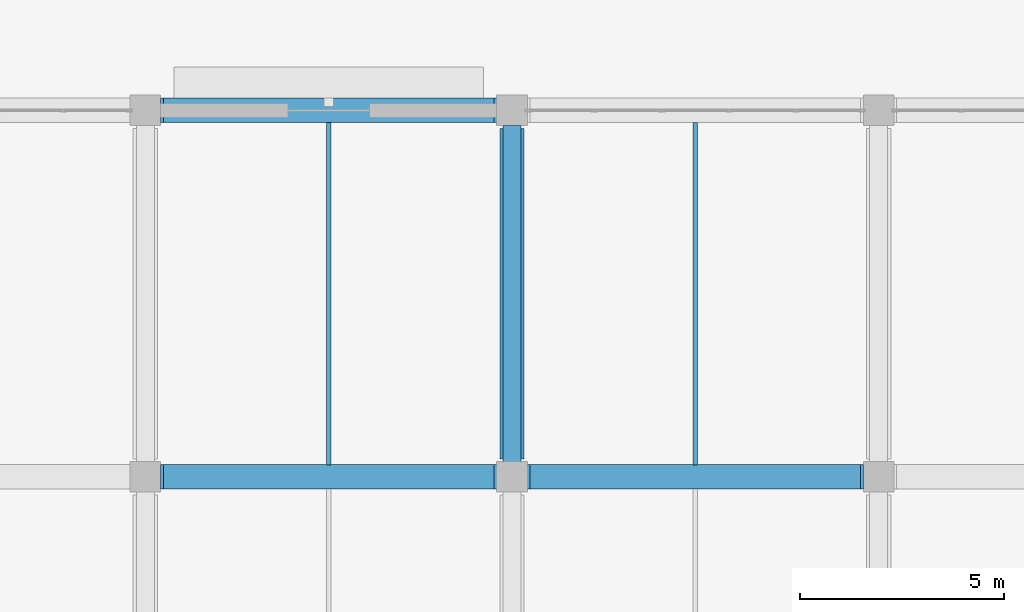
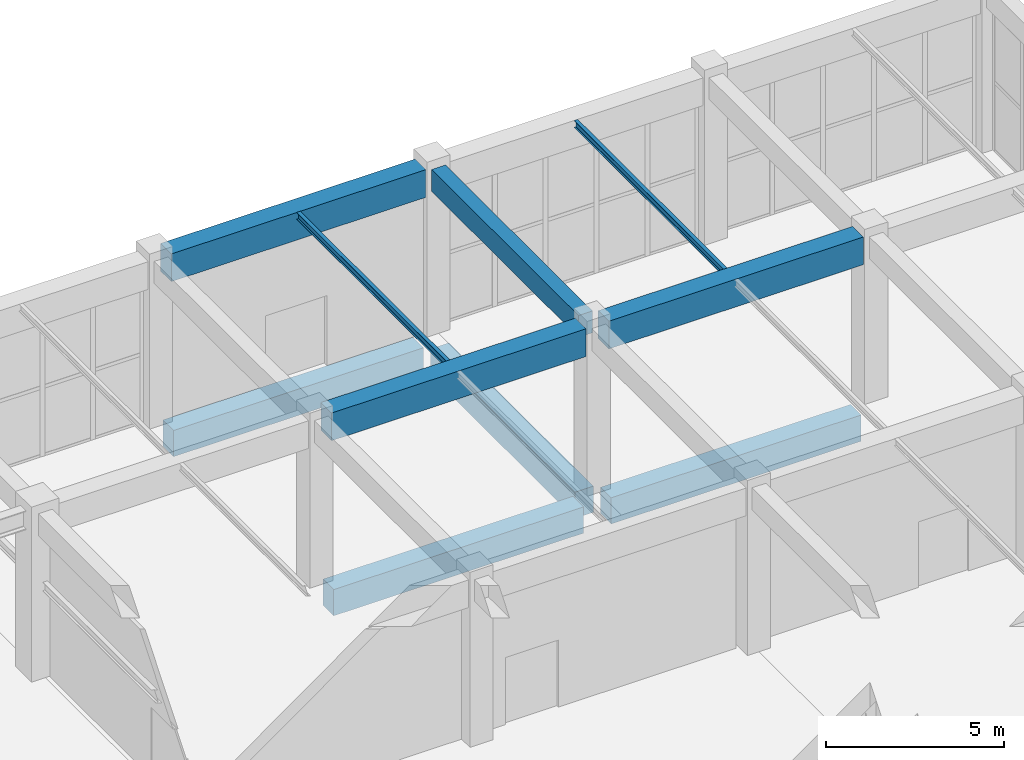
# One storey, part 17 of 91: 10 beams.
"""IFC4 building model written with IfcOpenShell, lengths in metres."""

from ifc_helpers import new_model, si_unit, direction, frame, origin, origin_2d, place, context, subcontext, project, spatial, rectangle, i_section, extrude, material, material_profile, profile_set, type_object, element, save


model = new_model("IFC4")

# Units and contexts
model_context = context("Model", 3, precision=1e-05, world=origin(), true_north=direction((0.0, 1.0)))
body_context = subcontext(model_context, "Body", "Model", "MODEL_VIEW")
ifc_project = project(units=[si_unit("LENGTHUNIT", "METRE"), si_unit("AREAUNIT", "SQUARE_METRE"), si_unit("VOLUMEUNIT", "CUBIC_METRE"), si_unit("PLANEANGLEUNIT", "RADIAN"), si_unit("MASSUNIT", "GRAM", prefix="KILO")], contexts=[model_context])

# Site, building, storey
site_placement = place(None, origin())
site = spatial("IfcSite", under=ifc_project, at=site_placement, CompositionType="ELEMENT")
building_placement = place(site_placement, origin())
building = spatial("IfcBuilding", under=site, at=building_placement, Name="Dornveld Trade and Exhibition Forum", CompositionType="ELEMENT")
storey_placement = place(building_placement, origin())
storey = spatial("IfcBuildingStorey", under=building, at=storey_placement, Name="L00", CompositionType="ELEMENT", Elevation=0.0)

# Beams
ifc_material_1 = material(Name="Concrete C40/50", Category="concrete")
ifc_material_profile_1 = material_profile(ifc_material_1, rectangle(XDim=0.60009765625, YDim=0.89990234375, at=origin_2d()), Name="RC-GB 600x900")
ifc_profile_set_1 = profile_set([ifc_material_profile_1], Name="Concrete C40/50")
beam_type_1 = type_object("IfcBeamType", Name="BM-GB-600x900", PredefinedType="BEAM", material=ifc_profile_set_1)
for number, where, z_axis, x_axis, name in (
    (1, (207.446044921875, 45.0, -0.830078125), (1.0, 0.0, 0.0), (0.0, 1.0, 0.0), "L00 X-girder 599"),
    (2, (216.446044921875, 45.0, -0.830078125), (1.0, 0.0, 0.0), (0.0, 1.0, 0.0), "L00 X-girder 600"),
    (3, (207.446044921875, 54.0, -0.830078125), (1.0, 0.0, 0.0), (0.0, 1.0, 0.0), "L00 X-girder 608"),
    (4, (216.0, 45.446044921875, -0.830078125), (0.0, 1.0, 0.0), (-1.0, 0.0, 0.0), "L00 Y-girder 642"),
):
    element("IfcBeam", number, at=place(storey_placement, frame(where, z_axis=z_axis, x_axis=x_axis)), inside=storey, type_object=beam_type_1, Name=name, PredefinedType="BEAM", context=body_context, shape_type="SweptSolid", body=[
        extrude(rectangle(XDim=0.60009765625, YDim=0.89990234375, at=origin_2d()), origin(), (0.0, 0.0, 1.0), 8.10791015625),
    ])
ifc_material_2 = material(Name="Steel S355J2", Category="steel")
ifc_material_profile_2 = material_profile(ifc_material_2, i_section(OverallWidth=0.1201171875, OverallDepth=0.239990234375, WebThickness=0.006103515625, FlangeThickness=0.009765625, FilletRadius=0.014892578125, at=origin_2d()), Name="IPE 240")
ifc_profile_set_2 = profile_set([ifc_material_profile_2], Name="Steel S355J2")
beam_type_2 = type_object("IfcBeamType", Name="BM-JOIST-240", PredefinedType="JOIST", material=ifc_profile_set_2)
for number, where, z_axis, x_axis, name in (
    (5, (211.5, 45.297119140625, 5.580078125), (0.0, 1.0, 0.0), (-1.0, 0.0, 0.0), "L00 secondary joist 942"),
    (6, (220.5, 45.297119140625, 5.580078125), (0.0, 1.0, 0.0), (-1.0, 0.0, 0.0), "L00 secondary joist 948"),
):
    element("IfcBeam", number, at=place(storey_placement, frame(where, z_axis=z_axis, x_axis=x_axis)), inside=storey, type_object=beam_type_2, Name=name, PredefinedType="JOIST", context=body_context, shape_type="SweptSolid", body=[
        extrude(i_section(OverallWidth=0.1201171875, OverallDepth=0.239990234375, WebThickness=0.006103515625, FlangeThickness=0.009765625, FilletRadius=0.014892578125, at=origin_2d()), origin(), (0.0, 0.0, 1.0), 8.40576171875),
    ])
ifc_material_3 = material(Name="Precast concrete C50/60", Category="concrete")
ifc_material_profile_3 = material_profile(ifc_material_3, rectangle(XDim=0.449951171875, YDim=0.75, at=origin_2d()), Name="PC-BM 450x750")
ifc_profile_set_3 = profile_set([ifc_material_profile_3], Name="Precast concrete C50/60")
beam_type_3 = type_object("IfcBeamType", Name="BM-PC-450x750", PredefinedType="BEAM", material=ifc_profile_set_3)
beam_placement = place(storey_placement, frame((216.0, 45.37109375, 5.324951171875), z_axis=(0.0, 1.0, 0.0), x_axis=(-1.0, 0.0, 0.0)))
element("IfcBeam", 7, at=beam_placement, inside=storey, type_object=beam_type_3, Name="L00 Y-girder 921", PredefinedType="BEAM", context=body_context, shape_type="SweptSolid", body=[
    extrude(rectangle(XDim=0.449951171875, YDim=0.75, at=origin_2d()), origin(), (0.0, 0.0, 1.0), 8.2578125),
])
ifc_material_4 = material(Name="Precast concrete C50/60", Category="concrete")
ifc_material_profile_4 = material_profile(ifc_material_4, rectangle(XDim=0.60009765625, YDim=0.949951171875, at=origin_2d()), Name="PC-GIR 600x950")
ifc_profile_set_4 = profile_set([ifc_material_profile_4], Name="Precast concrete C50/60")
beam_type_4 = type_object("IfcBeamType", Name="BM-PC-600x950", PredefinedType="T_BEAM", material=ifc_profile_set_4)
for number, where, z_axis, x_axis, name in (
    (8, (207.37109375, 45.0, 5.22509765625), (1.0, 0.0, 0.0), (0.0, 1.0, 0.0), "L00 X-girder 897"),
    (9, (216.37109375, 45.0, 5.22509765625), (1.0, 0.0, 0.0), (0.0, 1.0, 0.0), "L00 X-girder 898"),
    (10, (207.37109375, 54.0, 5.22509765625), (1.0, 0.0, 0.0), (0.0, 1.0, 0.0), "L00 X-girder 901"),
):
    element("IfcBeam", number, at=place(storey_placement, frame(where, z_axis=z_axis, x_axis=x_axis)), inside=storey, type_object=beam_type_4, Name=name, PredefinedType="T_BEAM", context=body_context, shape_type="SweptSolid", body=[
        extrude(rectangle(XDim=0.60009765625, YDim=0.949951171875, at=origin_2d()), origin(), (0.0, 0.0, 1.0), 8.2578125),
    ])

save(model, "model.ifc")
